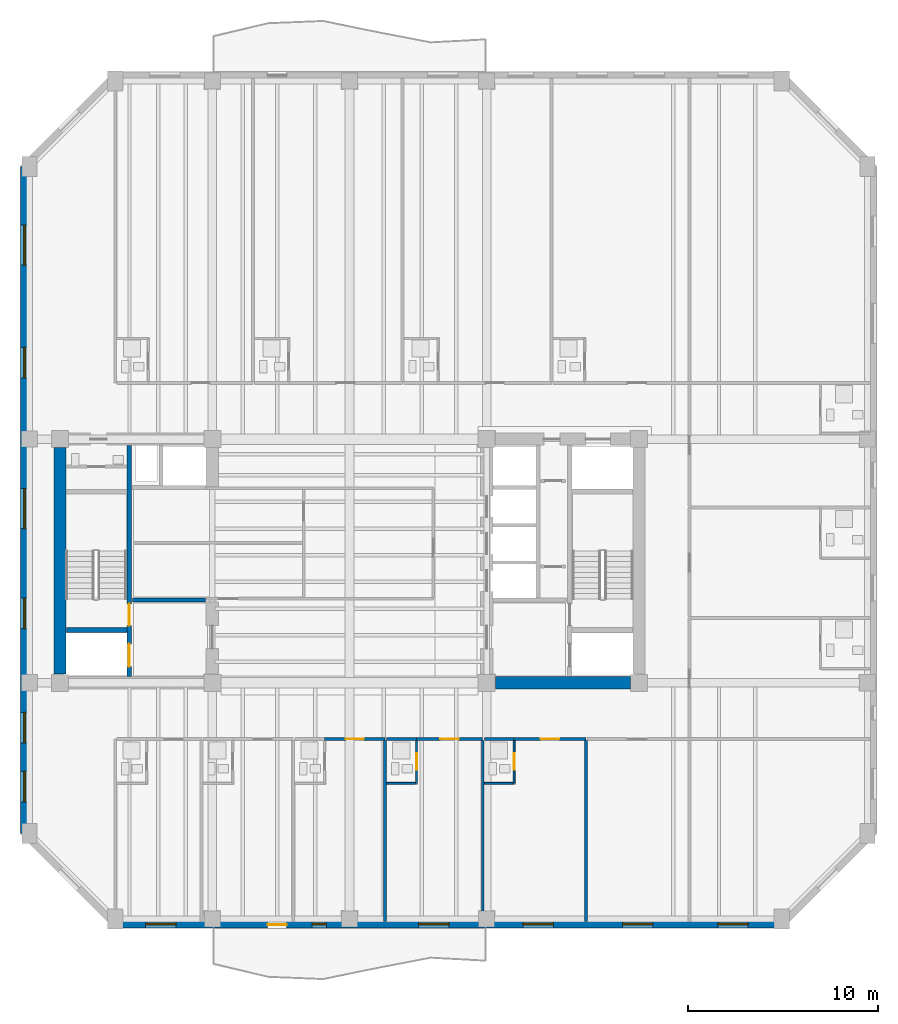
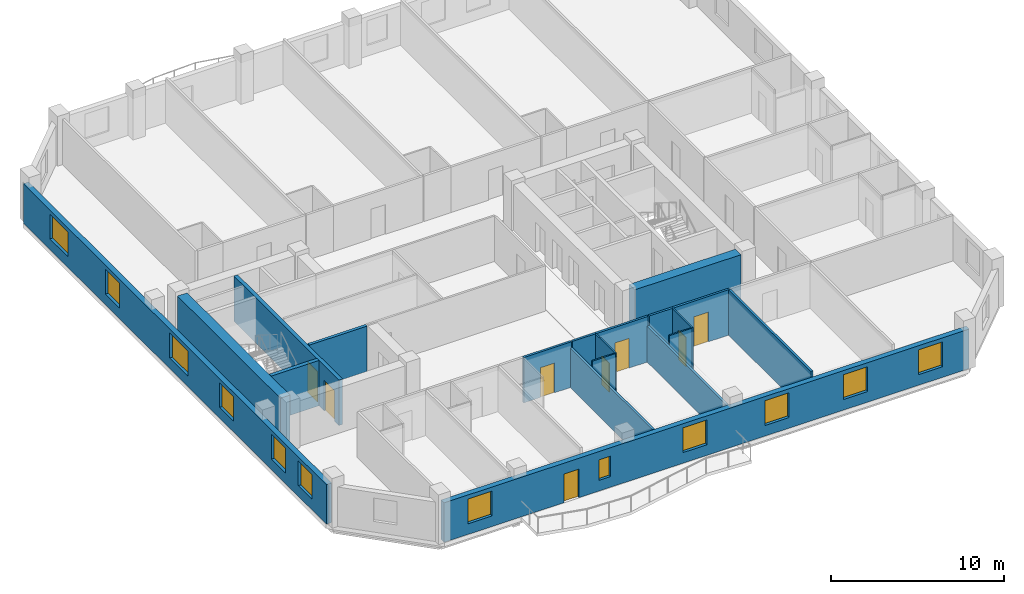
# One storey, part 3 of 11: 19 walls, 12 windows, 8 doors, 20 openings.
"""IFC4 building model written with IfcOpenShell, lengths in metres."""

from ifc_helpers import new_model, si_unit, direction, frame, frame_2d, origin, place, context, subcontext, project, spatial, rectangle, extrude, material, layer, layer_set, type_object, element, fill, save


model = new_model("IFC4")

# Units and contexts
model_context = context("Model", 3, precision=1e-05, world=origin(), true_north=direction((0.0, 1.0)))
body_context = subcontext(model_context, "Body", "Model", "MODEL_VIEW")
ifc_project = project(units=[si_unit("LENGTHUNIT", "METRE"), si_unit("AREAUNIT", "SQUARE_METRE"), si_unit("VOLUMEUNIT", "CUBIC_METRE"), si_unit("PLANEANGLEUNIT", "RADIAN"), si_unit("MASSUNIT", "GRAM", prefix="KILO")], contexts=[model_context])

# Site, building, storey
site_placement = place(None, origin())
site = spatial("IfcSite", under=ifc_project, at=site_placement, CompositionType="ELEMENT")
building_placement = place(site_placement, origin())
building = spatial("IfcBuilding", under=site, at=building_placement, Name="Kranthara Brick Stack", CompositionType="ELEMENT")
storey_placement = place(building_placement, frame((0.0, 0.0, 172.800048828125)))
storey = spatial("IfcBuildingStorey", under=building, at=storey_placement, Name="L44", CompositionType="ELEMENT", Elevation=172.800048828125)

# Wall, openings, door, windows
ifc_material_1 = material(Name="Kiln-fired clay brick masonry M15", Category="masonry")
ifc_layer_1 = layer(ifc_material_1, 0.35009765625)
ifc_layer_set_1 = layer_set([ifc_layer_1], Name="Kiln-fired clay brick masonry M15")
wall_type_1 = type_object("IfcWallType", Name="WL-BRK-SPND-350", PredefinedType="STANDARD", material=ifc_layer_set_1)
wall_1_placement = place(storey_placement, frame((50.699951171875, 8.094970703125, 0.0), z_axis=(0.0, 0.0, 1.0), x_axis=(-1.0, 0.0, 0.0)))
wall_1 = element("IfcWall", 1, at=wall_1_placement, inside=storey, type_object=wall_type_1, Name="L44 Exterior Brick Facade Wall SOUTH 1", PredefinedType="STANDARD", context=body_context, shape_type="SweptSolid", body=[
    extrude(rectangle(XDim=35.0, YDim=0.35009765625, at=frame_2d((17.5, 0.0))), origin(), (0.0, 0.0, 1.0), 2.784912109375),
])
opening_1_placement = place(wall_1_placement, frame((26.0, 0.0, 0.0)))
opening_1 = element("IfcOpeningElement", 2, at=opening_1_placement, cuts=wall_1, Name="Opening D03", PredefinedType="OPENING", context=body_context, shape_type="SweptSolid", body=[
    extrude(rectangle(XDim=1.0, YDim=2.02001953125, at=frame_2d((0.5, 1.010009765625))), frame((0.0, 0.18505859375, 0.0), z_axis=(0.0, -1.0, 0.0), x_axis=(1.0, 0.0, 0.0)), (0.0, 0.0, 1.0), 0.3701171875),
])
opening_2_placement = place(wall_1_placement, frame((1.762939453125, 0.0, 0.75)))
opening_2 = element("IfcOpeningElement", 3, at=opening_2_placement, cuts=wall_1, Name="Opening WN04", PredefinedType="OPENING", context=body_context, shape_type="SweptSolid", body=[
    extrude(rectangle(XDim=1.60009765625, YDim=1.75, at=frame_2d((0.800048828125, 0.875))), frame((0.0, 0.18505859375, 0.0), z_axis=(0.0, -1.0, 0.0), x_axis=(1.0, 0.0, 0.0)), (0.0, 0.0, 1.0), 0.3701171875),
])
opening_3_placement = place(wall_1_placement, frame((6.763916015625, 0.0, 0.75)))
opening_3 = element("IfcOpeningElement", 4, at=opening_3_placement, cuts=wall_1, Name="Opening WN04", PredefinedType="OPENING", context=body_context, shape_type="SweptSolid", body=[
    extrude(rectangle(XDim=1.60009765625, YDim=1.75, at=frame_2d((0.800048828125, 0.875))), frame((0.0, 0.18505859375, 0.0), z_axis=(0.0, -1.0, 0.0), x_axis=(1.0, 0.0, 0.0)), (0.0, 0.0, 1.0), 0.3701171875),
])
opening_4_placement = place(wall_1_placement, frame((12.0009765625, 0.0, 0.75)))
opening_4 = element("IfcOpeningElement", 5, at=opening_4_placement, cuts=wall_1, Name="Opening WN04", PredefinedType="OPENING", context=body_context, shape_type="SweptSolid", body=[
    extrude(rectangle(XDim=1.60009765625, YDim=1.75, at=frame_2d((0.800048828125, 0.875))), frame((0.0, 0.18505859375, 0.0), z_axis=(0.0, -1.0, 0.0), x_axis=(1.0, 0.0, 0.0)), (0.0, 0.0, 1.0), 0.3701171875),
])
opening_5_placement = place(wall_1_placement, frame((17.467041015625, 0.0, 0.75)))
opening_5 = element("IfcOpeningElement", 6, at=opening_5_placement, cuts=wall_1, Name="Opening WN04", PredefinedType="OPENING", context=body_context, shape_type="SweptSolid", body=[
    extrude(rectangle(XDim=1.60009765625, YDim=1.75, at=frame_2d((0.800048828125, 0.875))), frame((0.0, 0.18505859375, 0.0), z_axis=(0.0, -1.0, 0.0), x_axis=(1.0, 0.0, 0.0)), (0.0, 0.0, 1.0), 0.3701171875),
])
opening_6_placement = place(wall_1_placement, frame((31.801025390625, 0.0, 0.75)))
opening_6 = element("IfcOpeningElement", 7, at=opening_6_placement, cuts=wall_1, Name="Opening WN04", PredefinedType="OPENING", context=body_context, shape_type="SweptSolid", body=[
    extrude(rectangle(XDim=1.60009765625, YDim=1.75, at=frame_2d((0.800048828125, 0.875))), frame((0.0, 0.18505859375, 0.0), z_axis=(0.0, -1.0, 0.0), x_axis=(1.0, 0.0, 0.0)), (0.0, 0.0, 1.0), 0.3701171875),
])
opening_7_placement = place(wall_1_placement, frame((23.9140625, 0.0, 0.75)))
opening_7 = element("IfcOpeningElement", 8, at=opening_7_placement, cuts=wall_1, Name="Opening WN13", PredefinedType="OPENING", context=body_context, shape_type="SweptSolid", body=[
    extrude(rectangle(XDim=0.75, YDim=1.449951171875, at=frame_2d((0.375, 0.72509765625))), frame((0.0, 0.18505859375, 0.0), z_axis=(0.0, -1.0, 0.0), x_axis=(1.0, 0.0, 0.0)), (0.0, 0.0, 1.0), 0.3701171875),
])
ifc_material_2 = material(Name="Bronze anodised aluminium and laminated glass", Category="aluminium")
door_type_1 = type_object("IfcDoorType", Name="DR-BALC-1000", OperationType="NOTDEFINED", PredefinedType="DOOR", material=ifc_material_2)
door_1_placement = place(opening_1_placement, origin())
door_1 = element("IfcDoor", 9, at=door_1_placement, inside=storey, type_object=door_type_1, Name="L44 South Balcony Terrace Door", OperationType="SINGLE_SWING_LEFT", OverallHeight=2.02001953125, OverallWidth=1.0, PredefinedType="DOOR", context=body_context, shape_type="SweptSolid", body=[
    extrude(rectangle(XDim=1.0, YDim=2.02001953125, at=frame_2d((0.5, 1.010009765625))), frame((0.0, 0.02490234375, 0.0), z_axis=(0.0, -1.0, 0.0), x_axis=(1.0, 0.0, 0.0)), (0.0, 0.0, 1.0), 0.050048828125),
])
fill(opening_1, door_1)
ifc_material_3 = material(Name="Double-glazed low-E solar control glass", Category="glass")
window_type_1 = type_object("IfcWindowType", Name="WN-CAS-750x1450", PartitioningType="SINGLE_PANEL", PredefinedType="WINDOW", material=ifc_material_3)
window_1_placement = place(opening_7_placement, origin())
window_1 = element("IfcWindow", 10, at=window_1_placement, inside=storey, type_object=window_type_1, Name="L44 South Deep-Set Casement Window 06", OverallHeight=1.449951171875, OverallWidth=0.75, PartitioningType="SINGLE_PANEL", PredefinedType="WINDOW", context=body_context, shape_type="SweptSolid", body=[
    extrude(rectangle(XDim=0.75, YDim=1.449951171875, at=frame_2d((0.375, 0.72509765625))), frame((0.0, -0.010009765625, 0.0), z_axis=(0.0, -1.0, 0.0), x_axis=(1.0, 0.0, 0.0)), (0.0, 0.0, 1.0), 0.06005859375),
])
fill(opening_7, window_1)
ifc_material_4 = material(Name="Double-glazed low-E solar control glass", Category="glass")
window_type_2 = type_object("IfcWindowType", Name="WN-HTL-1600x1850", PartitioningType="DOUBLE_PANEL_VERTICAL", PredefinedType="WINDOW", material=ifc_material_4)
window_2_placement = place(opening_2_placement, origin())
window_2 = element("IfcWindow", 11, at=window_2_placement, inside=storey, type_object=window_type_2, Name="L44 South Deep-Set Brick Window 01", OverallHeight=1.75, OverallWidth=1.60009765625, PartitioningType="SINGLE_PANEL", PredefinedType="WINDOW", context=body_context, shape_type="SweptSolid", body=[
    extrude(rectangle(XDim=1.60009765625, YDim=1.75, at=frame_2d((0.800048828125, 0.875))), frame((0.0, -0.010009765625, 0.0), z_axis=(0.0, -1.0, 0.0), x_axis=(1.0, 0.0, 0.0)), (0.0, 0.0, 1.0), 0.06005859375),
])
fill(opening_2, window_2)
window_3_placement = place(opening_3_placement, origin())
window_3 = element("IfcWindow", 12, at=window_3_placement, inside=storey, type_object=window_type_2, Name="L44 South Deep-Set Brick Window 02", OverallHeight=1.75, OverallWidth=1.60009765625, PartitioningType="SINGLE_PANEL", PredefinedType="WINDOW", context=body_context, shape_type="SweptSolid", body=[
    extrude(rectangle(XDim=1.60009765625, YDim=1.75, at=frame_2d((0.800048828125, 0.875))), frame((0.0, -0.010009765625, 0.0), z_axis=(0.0, -1.0, 0.0), x_axis=(1.0, 0.0, 0.0)), (0.0, 0.0, 1.0), 0.06005859375),
])
fill(opening_3, window_3)
window_4_placement = place(opening_4_placement, origin())
window_4 = element("IfcWindow", 13, at=window_4_placement, inside=storey, type_object=window_type_2, Name="L44 South Deep-Set Brick Window 03", OverallHeight=1.75, OverallWidth=1.60009765625, PartitioningType="SINGLE_PANEL", PredefinedType="WINDOW", context=body_context, shape_type="SweptSolid", body=[
    extrude(rectangle(XDim=1.60009765625, YDim=1.75, at=frame_2d((0.800048828125, 0.875))), frame((0.0, -0.010009765625, 0.0), z_axis=(0.0, -1.0, 0.0), x_axis=(1.0, 0.0, 0.0)), (0.0, 0.0, 1.0), 0.06005859375),
])
fill(opening_4, window_4)
window_5_placement = place(opening_5_placement, origin())
window_5 = element("IfcWindow", 14, at=window_5_placement, inside=storey, type_object=window_type_2, Name="L44 South Deep-Set Brick Window 04", OverallHeight=1.75, OverallWidth=1.60009765625, PartitioningType="SINGLE_PANEL", PredefinedType="WINDOW", context=body_context, shape_type="SweptSolid", body=[
    extrude(rectangle(XDim=1.60009765625, YDim=1.75, at=frame_2d((0.800048828125, 0.875))), frame((0.0, -0.010009765625, 0.0), z_axis=(0.0, -1.0, 0.0), x_axis=(1.0, 0.0, 0.0)), (0.0, 0.0, 1.0), 0.06005859375),
])
fill(opening_5, window_5)
window_6_placement = place(opening_6_placement, origin())
window_6 = element("IfcWindow", 15, at=window_6_placement, inside=storey, type_object=window_type_2, Name="L44 South Deep-Set Brick Window 05", OverallHeight=1.75, OverallWidth=1.60009765625, PartitioningType="SINGLE_PANEL", PredefinedType="WINDOW", context=body_context, shape_type="SweptSolid", body=[
    extrude(rectangle(XDim=1.60009765625, YDim=1.75, at=frame_2d((0.800048828125, 0.875))), frame((0.0, -0.010009765625, 0.0), z_axis=(0.0, -1.0, 0.0), x_axis=(1.0, 0.0, 0.0)), (0.0, 0.0, 1.0), 0.06005859375),
])
fill(opening_6, window_6)

# Wall, openings, windows
wall_2_placement = place(storey_placement, frame((10.89501953125, 12.89990234375, 0.0), z_axis=(0.0, 0.0, 1.0), x_axis=(0.0, 1.0, 0.0)))
wall_2 = element("IfcWall", 16, at=wall_2_placement, inside=storey, type_object=wall_type_1, Name="L44 Exterior Brick Facade Wall WEST 1", PredefinedType="STANDARD", context=body_context, shape_type="SweptSolid", body=[
    extrude(rectangle(XDim=35.0, YDim=0.35009765625, at=frame_2d((17.5, 0.0))), origin(), (0.0, 0.0, 1.0), 2.784912109375),
])
opening_8_placement = place(wall_2_placement, frame((1.652099609375, 0.0, 0.75)))
opening_8 = element("IfcOpeningElement", 17, at=opening_8_placement, cuts=wall_2, Name="Opening WN04", PredefinedType="OPENING", context=body_context, shape_type="SweptSolid", body=[
    extrude(rectangle(XDim=1.60009765625, YDim=1.75, at=frame_2d((0.800048828125, 0.875))), frame((0.0, 0.18505859375, 0.0), z_axis=(0.0, -1.0, 0.0), x_axis=(1.0, 0.0, 0.0)), (0.0, 0.0, 1.0), 0.3701171875),
])
opening_9_placement = place(wall_2_placement, frame((4.748046875, 0.0, 0.75)))
opening_9 = element("IfcOpeningElement", 18, at=opening_9_placement, cuts=wall_2, Name="Opening WN04", PredefinedType="OPENING", context=body_context, shape_type="SweptSolid", body=[
    extrude(rectangle(XDim=1.60009765625, YDim=1.75, at=frame_2d((0.800048828125, 0.875))), frame((0.0, 0.18505859375, 0.0), z_axis=(0.0, -1.0, 0.0), x_axis=(1.0, 0.0, 0.0)), (0.0, 0.0, 1.0), 0.3701171875),
])
opening_10_placement = place(wall_2_placement, frame((10.751953125, 0.0, 0.75)))
opening_10 = element("IfcOpeningElement", 19, at=opening_10_placement, cuts=wall_2, Name="Opening WN04", PredefinedType="OPENING", context=body_context, shape_type="SweptSolid", body=[
    extrude(rectangle(XDim=1.60009765625, YDim=1.75, at=frame_2d((0.800048828125, 0.875))), frame((0.0, 0.18505859375, 0.0), z_axis=(0.0, -1.0, 0.0), x_axis=(1.0, 0.0, 0.0)), (0.0, 0.0, 1.0), 0.3701171875),
])
opening_11_placement = place(wall_2_placement, frame((15.998046875, 0.0, 0.75)))
opening_11 = element("IfcOpeningElement", 20, at=opening_11_placement, cuts=wall_2, Name="Opening WN05", PredefinedType="OPENING", context=body_context, shape_type="SweptSolid", body=[
    extrude(rectangle(XDim=2.10009765625, YDim=1.75, at=frame_2d((1.050048828125, 0.875))), frame((0.0, 0.18505859375, 0.0), z_axis=(0.0, -1.0, 0.0), x_axis=(1.0, 0.0, 0.0)), (0.0, 0.0, 1.0), 0.3701171875),
])
opening_12_placement = place(wall_2_placement, frame((23.916015625, 0.0, 0.75)))
opening_12 = element("IfcOpeningElement", 21, at=opening_12_placement, cuts=wall_2, Name="Opening WN04", PredefinedType="OPENING", context=body_context, shape_type="SweptSolid", body=[
    extrude(rectangle(XDim=1.60009765625, YDim=1.75, at=frame_2d((0.800048828125, 0.875))), frame((0.0, 0.18505859375, 0.0), z_axis=(0.0, -1.0, 0.0), x_axis=(1.0, 0.0, 0.0)), (0.0, 0.0, 1.0), 0.3701171875),
])
opening_13_placement = place(wall_2_placement, frame((29.833984375, 0.0, 0.75)))
opening_13 = element("IfcOpeningElement", 22, at=opening_13_placement, cuts=wall_2, Name="Opening WN05", PredefinedType="OPENING", context=body_context, shape_type="SweptSolid", body=[
    extrude(rectangle(XDim=2.10009765625, YDim=1.75, at=frame_2d((1.050048828125, 0.875))), frame((0.0, 0.18505859375, 0.0), z_axis=(0.0, -1.0, 0.0), x_axis=(1.0, 0.0, 0.0)), (0.0, 0.0, 1.0), 0.3701171875),
])
window_7_placement = place(opening_8_placement, origin())
window_7 = element("IfcWindow", 23, at=window_7_placement, inside=storey, type_object=window_type_2, Name="L44 West Deep-Set Brick Window 01", OverallHeight=1.75, OverallWidth=1.60009765625, PartitioningType="SINGLE_PANEL", PredefinedType="WINDOW", context=body_context, shape_type="SweptSolid", body=[
    extrude(rectangle(XDim=1.60009765625, YDim=1.75, at=frame_2d((0.800048828125, 0.875))), frame((0.0, -0.010009765625, 0.0), z_axis=(0.0, -1.0, 0.0), x_axis=(1.0, 0.0, 0.0)), (0.0, 0.0, 1.0), 0.06005859375),
])
fill(opening_8, window_7)
window_8_placement = place(opening_9_placement, origin())
window_8 = element("IfcWindow", 24, at=window_8_placement, inside=storey, type_object=window_type_2, Name="L44 West Deep-Set Brick Window 02", OverallHeight=1.75, OverallWidth=1.60009765625, PartitioningType="SINGLE_PANEL", PredefinedType="WINDOW", context=body_context, shape_type="SweptSolid", body=[
    extrude(rectangle(XDim=1.60009765625, YDim=1.75, at=frame_2d((0.800048828125, 0.875))), frame((0.0, -0.010009765625, 0.0), z_axis=(0.0, -1.0, 0.0), x_axis=(1.0, 0.0, 0.0)), (0.0, 0.0, 1.0), 0.06005859375),
])
fill(opening_9, window_8)
window_9_placement = place(opening_10_placement, origin())
window_9 = element("IfcWindow", 25, at=window_9_placement, inside=storey, type_object=window_type_2, Name="L44 West Deep-Set Brick Window 03", OverallHeight=1.75, OverallWidth=1.60009765625, PartitioningType="SINGLE_PANEL", PredefinedType="WINDOW", context=body_context, shape_type="SweptSolid", body=[
    extrude(rectangle(XDim=1.60009765625, YDim=1.75, at=frame_2d((0.800048828125, 0.875))), frame((0.0, -0.010009765625, 0.0), z_axis=(0.0, -1.0, 0.0), x_axis=(1.0, 0.0, 0.0)), (0.0, 0.0, 1.0), 0.06005859375),
])
fill(opening_10, window_9)
window_10_placement = place(opening_12_placement, origin())
window_10 = element("IfcWindow", 26, at=window_10_placement, inside=storey, type_object=window_type_2, Name="L44 West Deep-Set Brick Window 05", OverallHeight=1.75, OverallWidth=1.60009765625, PartitioningType="SINGLE_PANEL", PredefinedType="WINDOW", context=body_context, shape_type="SweptSolid", body=[
    extrude(rectangle(XDim=1.60009765625, YDim=1.75, at=frame_2d((0.800048828125, 0.875))), frame((0.0, -0.010009765625, 0.0), z_axis=(0.0, -1.0, 0.0), x_axis=(1.0, 0.0, 0.0)), (0.0, 0.0, 1.0), 0.06005859375),
])
fill(opening_12, window_10)
ifc_material_5 = material(Name="Double-glazed low-E solar control glass", Category="glass")
window_type_3 = type_object("IfcWindowType", Name="WN-HTL-2100x1850", PartitioningType="DOUBLE_PANEL_VERTICAL", PredefinedType="WINDOW", material=ifc_material_5)
window_11_placement = place(opening_11_placement, origin())
window_11 = element("IfcWindow", 27, at=window_11_placement, inside=storey, type_object=window_type_3, Name="L44 West Deep-Set Brick Window 04", OverallHeight=1.75, OverallWidth=2.10009765625, PartitioningType="SINGLE_PANEL", PredefinedType="WINDOW", context=body_context, shape_type="SweptSolid", body=[
    extrude(rectangle(XDim=2.10009765625, YDim=1.75, at=frame_2d((1.050048828125, 0.875))), frame((0.0, -0.010009765625, 0.0), z_axis=(0.0, -1.0, 0.0), x_axis=(1.0, 0.0, 0.0)), (0.0, 0.0, 1.0), 0.06005859375),
])
fill(opening_11, window_11)
window_12_placement = place(opening_13_placement, origin())
window_12 = element("IfcWindow", 28, at=window_12_placement, inside=storey, type_object=window_type_3, Name="L44 West Deep-Set Brick Window 06", OverallHeight=1.75, OverallWidth=2.10009765625, PartitioningType="SINGLE_PANEL", PredefinedType="WINDOW", context=body_context, shape_type="SweptSolid", body=[
    extrude(rectangle(XDim=2.10009765625, YDim=1.75, at=frame_2d((1.050048828125, 0.875))), frame((0.0, -0.010009765625, 0.0), z_axis=(0.0, -1.0, 0.0), x_axis=(1.0, 0.0, 0.0)), (0.0, 0.0, 1.0), 0.06005859375),
])
fill(opening_13, window_12)

# Wall, openings, doors
ifc_material_6 = material(Name="Concrete C50/60", Category="concrete")
ifc_layer_2 = layer(ifc_material_6, 0.25)
ifc_layer_set_2 = layer_set([ifc_layer_2], Name="Concrete C50/60")
wall_type_2 = type_object("IfcWallType", Name="WL-CORE-250", PredefinedType="SHEAR", material=ifc_layer_set_2)
wall_3_placement = place(storey_placement, frame((16.43505859375, 21.135009765625, 0.0), z_axis=(0.0, 0.0, 1.0), x_axis=(0.0, 1.0, 0.0)))
wall_3 = element("IfcWall", 29, at=wall_3_placement, inside=storey, type_object=wall_type_2, Name="L44 West Core Stair Bearing Spine Wall", PredefinedType="SHEAR", context=body_context, shape_type="SweptSolid", body=[
    extrude(rectangle(XDim=12.1298828125, YDim=0.25, at=frame_2d((6.06494140625, 0.0))), origin(), (0.0, 0.0, 1.0), 3.199951171875),
])
opening_14_placement = place(wall_3_placement, frame((0.514892578125, 0.0, 0.0)))
opening_14 = element("IfcOpeningElement", 30, at=opening_14_placement, cuts=wall_3, Name="Opening LD01", PredefinedType="OPENING", context=body_context, shape_type="SweptSolid", body=[
    extrude(rectangle(XDim=1.199951171875, YDim=2.14990234375, at=frame_2d((0.60009765625, 1.074951171875))), frame((0.0, 0.135009765625, 0.0), z_axis=(0.0, -1.0, 0.0), x_axis=(1.0, 0.0, 0.0)), (0.0, 0.0, 1.0), 0.27001953125),
])
opening_15_placement = place(wall_3_placement, frame((2.6650390625, 0.0, 0.0)))
opening_15 = element("IfcOpeningElement", 31, at=opening_15_placement, cuts=wall_3, Name="Opening D05", PredefinedType="OPENING", context=body_context, shape_type="SweptSolid", body=[
    extrude(rectangle(XDim=1.14990234375, YDim=2.14990234375, at=frame_2d((0.574951171875, 1.074951171875))), frame((0.0, 0.135009765625, 0.0), z_axis=(0.0, -1.0, 0.0), x_axis=(1.0, 0.0, 0.0)), (0.0, 0.0, 1.0), 0.27001953125),
])
ifc_material_7 = material(Name="Stainless steel sliding landing door", Category="steel")
door_type_2 = type_object("IfcDoorType", Name="DR-LD-FF1200", OperationType="DOUBLE_DOOR_SLIDING", PredefinedType="DOOR", material=ifc_material_7)
door_2_placement = place(opening_14_placement, origin())
door_2 = element("IfcDoor", 32, at=door_2_placement, inside=storey, type_object=door_type_2, Name="L44 Firefighting Lift FF-01 Landing Door", OperationType="DOUBLE_DOOR_SLIDING", OverallHeight=2.14990234375, OverallWidth=1.199951171875, PredefinedType="DOOR", context=body_context, shape_type="SweptSolid", body=[
    extrude(rectangle(XDim=1.199951171875, YDim=2.14990234375, at=frame_2d((0.60009765625, 1.074951171875))), frame((0.0, 0.02490234375, 0.0), z_axis=(0.0, -1.0, 0.0), x_axis=(1.0, 0.0, 0.0)), (0.0, 0.0, 1.0), 0.050048828125),
])
fill(opening_14, door_2)
ifc_material_8 = material(Name="Solid-core hardwood timber leaf in steel frame", Category="steel")
door_type_3 = type_object("IfcDoorType", Name="DR-ST-1150", OperationType="NOTDEFINED", PredefinedType="DOOR", material=ifc_material_8)
door_3_placement = place(opening_15_placement, origin())
door_3 = element("IfcDoor", 33, at=door_3_placement, inside=storey, type_object=door_type_3, Name="L44 Exit Stair ST01 Door", OperationType="SINGLE_SWING_RIGHT", OverallHeight=2.14990234375, OverallWidth=1.14990234375, PredefinedType="DOOR", context=body_context, shape_type="SweptSolid", body=[
    extrude(rectangle(XDim=1.14990234375, YDim=2.14990234375, at=frame_2d((0.574951171875, 1.074951171875))), frame((0.0, 0.02490234375, 0.0), z_axis=(0.0, -1.0, 0.0), x_axis=(1.0, 0.0, 0.0)), (0.0, 0.0, 1.0), 0.050048828125),
])
fill(opening_15, door_3)

# Walls
wall_4_placement = place(storey_placement, frame((13.135009765625, 23.570068359375, 0.0), z_axis=(0.0, 0.0, 1.0), x_axis=(1.0, 0.0, 0.0)))
element("IfcWall", 34, at=wall_4_placement, inside=storey, type_object=wall_type_2, Name="L44 West Stairwell Bearing Wall WFF", PredefinedType="SHEAR", context=body_context, shape_type="SweptSolid", body=[
    extrude(rectangle(XDim=3.175048828125, YDim=0.25, at=frame_2d((1.58740234375, 0.0))), origin(), (0.0, 0.0, 1.0), 3.199951171875),
])
ifc_material_9 = material(Name="Concrete C60/75", Category="concrete")
ifc_layer_3 = layer(ifc_material_9, 0.64990234375)
ifc_layer_set_3 = layer_set([ifc_layer_3], Name="Concrete C60/75")
wall_type_3 = type_object("IfcWallType", Name="WL-CORE-650", PredefinedType="SHEAR", material=ifc_layer_set_3)
wall_5_placement = place(storey_placement, frame((12.800048828125, 21.2548828125, 0.0), z_axis=(0.0, 0.0, 1.0), x_axis=(0.0, 1.0, 0.0)))
element("IfcWall", 35, at=wall_5_placement, inside=storey, type_object=wall_type_3, Name="L44 West Core Shear Wall West", PredefinedType="SHEAR", context=body_context, shape_type="SweptSolid", body=[
    extrude(rectangle(XDim=11.89013671875, YDim=0.64990234375, at=frame_2d((5.945068359375, 0.0))), origin(), (0.0, 0.0, 1.0), 3.199951171875),
])
wall_6_placement = place(storey_placement, frame((35.655029296875, 20.800048828125, 0.0), z_axis=(0.0, 0.0, 1.0), x_axis=(1.0, 0.0, 0.0)))
element("IfcWall", 36, at=wall_6_placement, inside=storey, type_object=wall_type_3, Name="L44 East Core Shear Wall South", PredefinedType="SHEAR", context=body_context, shape_type="SweptSolid", body=[
    extrude(rectangle(XDim=7.090087890625, YDim=0.64990234375, at=frame_2d((3.544921875, 0.0))), origin(), (0.0, 0.0, 1.0), 3.199951171875),
])

# Wall, opening, door
ifc_material_10 = material(Name="Moisture-resistant wet-room partition", Category="other")
ifc_layer_4 = layer(ifc_material_10, 0.10009765625)
ifc_layer_set_4 = layer_set([ifc_layer_4], Name="Moisture-resistant wet-room partition")
wall_type_4 = type_object("IfcWallType", Name="WL-PART-100", PredefinedType="PARTITIONING", material=ifc_layer_set_4)
wall_7_placement = place(storey_placement, frame((31.52001953125, 15.52001953125, 0.0), z_axis=(0.0, 0.0, 1.0), x_axis=(0.0, 1.0, 0.0)))
wall_7 = element("IfcWall", 37, at=wall_7_placement, inside=storey, type_object=wall_type_4, Name="L44 Interior Partition 027", PredefinedType="PARTITIONING", context=body_context, shape_type="SweptSolid", body=[
    extrude(rectangle(XDim=2.25, YDim=0.10009765625, at=frame_2d((1.125, 0.0))), origin(), (0.0, 0.0, 1.0), 3.199951171875),
])
opening_16_placement = place(wall_7_placement, frame((0.719970703125, 0.0, 0.0)))
opening_16 = element("IfcOpeningElement", 38, at=opening_16_placement, cuts=wall_7, Name="Opening D17", PredefinedType="OPENING", context=body_context, shape_type="SweptSolid", body=[
    extrude(rectangle(XDim=0.85009765625, YDim=2.050048828125, at=frame_2d((0.425048828125, 1.02490234375))), frame((0.0, 0.06005859375, 0.0), z_axis=(0.0, -1.0, 0.0), x_axis=(1.0, 0.0, 0.0)), (0.0, 0.0, 1.0), 0.1201171875),
])
ifc_material_11 = material(Name="Solid-core hardwood timber leaf in steel frame", Category="steel")
door_type_4 = type_object("IfcDoorType", Name="DR-WET-850", OperationType="NOTDEFINED", PredefinedType="DOOR", material=ifc_material_11)
door_4_placement = place(opening_16_placement, origin())
door_4 = element("IfcDoor", 39, at=door_4_placement, inside=storey, type_object=door_type_4, Name="L44 Key 04 En-Suite Door 13", OperationType="SINGLE_SWING_LEFT", OverallHeight=2.050048828125, OverallWidth=0.85009765625, PredefinedType="DOOR", context=body_context, shape_type="SweptSolid", body=[
    extrude(rectangle(XDim=0.85009765625, YDim=2.050048828125, at=frame_2d((0.425048828125, 1.02490234375))), frame((0.0, 0.02490234375, 0.0), z_axis=(0.0, -1.0, 0.0), x_axis=(1.0, 0.0, 0.0)), (0.0, 0.0, 1.0), 0.050048828125),
])
fill(opening_16, door_4)

# Wall
wall_8_placement = place(storey_placement, frame((29.949951171875, 15.52001953125, 0.0), z_axis=(0.0, 0.0, 1.0), x_axis=(1.0, 0.0, 0.0)))
element("IfcWall", 40, at=wall_8_placement, inside=storey, type_object=wall_type_4, Name="L44 Interior Partition 028", PredefinedType="PARTITIONING", context=body_context, shape_type="SweptSolid", body=[
    extrude(rectangle(XDim=1.51513671875, YDim=0.10009765625, at=frame_2d((0.757568359375, 0.0))), origin(), (0.0, 0.0, 1.0), 3.199951171875),
])

# Wall, opening, door
wall_9_placement = place(storey_placement, frame((36.64599609375, 15.52001953125, 0.0), z_axis=(0.0, 0.0, 1.0), x_axis=(0.0, 1.0, 0.0)))
wall_9 = element("IfcWall", 41, at=wall_9_placement, inside=storey, type_object=wall_type_4, Name="L44 Interior Partition 032", PredefinedType="PARTITIONING", context=body_context, shape_type="SweptSolid", body=[
    extrude(rectangle(XDim=2.25, YDim=0.10009765625, at=frame_2d((1.125, 0.0))), origin(), (0.0, 0.0, 1.0), 3.199951171875),
])
opening_17_placement = place(wall_9_placement, frame((0.719970703125, 0.0, 0.0)))
opening_17 = element("IfcOpeningElement", 42, at=opening_17_placement, cuts=wall_9, Name="Opening D17", PredefinedType="OPENING", context=body_context, shape_type="SweptSolid", body=[
    extrude(rectangle(XDim=0.85009765625, YDim=2.050048828125, at=frame_2d((0.425048828125, 1.02490234375))), frame((0.0, 0.06005859375, 0.0), z_axis=(0.0, -1.0, 0.0), x_axis=(1.0, 0.0, 0.0)), (0.0, 0.0, 1.0), 0.1201171875),
])
door_5_placement = place(opening_17_placement, origin())
door_5 = element("IfcDoor", 43, at=door_5_placement, inside=storey, type_object=door_type_4, Name="L44 Key 05 En-Suite Door 15", OperationType="SINGLE_SWING_LEFT", OverallHeight=2.050048828125, OverallWidth=0.85009765625, PredefinedType="DOOR", context=body_context, shape_type="SweptSolid", body=[
    extrude(rectangle(XDim=0.85009765625, YDim=2.050048828125, at=frame_2d((0.425048828125, 1.02490234375))), frame((0.0, 0.02490234375, 0.0), z_axis=(0.0, -1.0, 0.0), x_axis=(1.0, 0.0, 0.0)), (0.0, 0.0, 1.0), 0.050048828125),
])
fill(opening_17, door_5)

# Wall
wall_10_placement = place(storey_placement, frame((35.075927734375, 15.52001953125, 0.0), z_axis=(0.0, 0.0, 1.0), x_axis=(1.0, 0.0, 0.0)))
element("IfcWall", 44, at=wall_10_placement, inside=storey, type_object=wall_type_4, Name="L44 Interior Partition 033", PredefinedType="PARTITIONING", context=body_context, shape_type="SweptSolid", body=[
    extrude(rectangle(XDim=1.51513671875, YDim=0.10009765625, at=frame_2d((0.757568359375, 0.0))), origin(), (0.0, 0.0, 1.0), 3.199951171875),
])

# Wall, opening, door
ifc_material_12 = material(Name="Fire-rated gypsum board partition", Category="other")
ifc_layer_5 = layer(ifc_material_12, 0.14990234375)
ifc_layer_set_5 = layer_set([ifc_layer_5], Name="Fire-rated gypsum board partition")
wall_type_5 = type_object("IfcWallType", Name="WL-PART-150", PredefinedType="PARTITIONING", material=ifc_layer_set_5)
wall_11_placement = place(storey_placement, frame((26.697021484375, 17.85009765625, 0.0), z_axis=(0.0, 0.0, 1.0), x_axis=(1.0, 0.0, 0.0)))
wall_11 = element("IfcWall", 45, at=wall_11_placement, inside=storey, type_object=wall_type_5, Name="L44 Interior Partition 021", PredefinedType="PARTITIONING", context=body_context, shape_type="SweptSolid", body=[
    extrude(rectangle(XDim=3.173095703125, YDim=0.14990234375, at=frame_2d((1.58642578125, 0.0))), origin(), (0.0, 0.0, 1.0), 3.199951171875),
])
opening_18_placement = place(wall_11_placement, frame((1.10693359375, 0.0, 0.0)))
opening_18 = element("IfcOpeningElement", 46, at=opening_18_placement, cuts=wall_11, Name="Opening D09", PredefinedType="OPENING", context=body_context, shape_type="SweptSolid", body=[
    extrude(rectangle(XDim=0.949951171875, YDim=2.10009765625, at=frame_2d((0.47509765625, 1.050048828125))), frame((0.0, 0.0849609375, 0.0), z_axis=(0.0, -1.0, 0.0), x_axis=(1.0, 0.0, 0.0)), (0.0, 0.0, 1.0), 0.169921875),
])
ifc_material_13 = material(Name="Solid-core hardwood timber leaf in steel frame", Category="steel")
door_type_5 = type_object("IfcDoorType", Name="DR-FD-950", OperationType="NOTDEFINED", PredefinedType="DOOR", material=ifc_material_13)
door_6_placement = place(opening_18_placement, origin())
door_6 = element("IfcDoor", 47, at=door_6_placement, inside=storey, type_object=door_type_5, Name="L44 Key 03 Entry 12", OperationType="SINGLE_SWING_RIGHT", OverallHeight=2.10009765625, OverallWidth=0.949951171875, PredefinedType="DOOR", context=body_context, shape_type="SweptSolid", body=[
    extrude(rectangle(XDim=0.949951171875, YDim=2.10009765625, at=frame_2d((0.47509765625, 1.050048828125))), frame((0.0, 0.02490234375, 0.0), z_axis=(0.0, -1.0, 0.0), x_axis=(1.0, 0.0, 0.0)), (0.0, 0.0, 1.0), 0.050048828125),
])
fill(opening_18, door_6)

# Walls
wall_12_placement = place(storey_placement, frame((29.8701171875, 8.27490234375, 0.0), z_axis=(0.0, 0.0, 1.0), x_axis=(0.0, 1.0, 0.0)))
element("IfcWall", 48, at=wall_12_placement, inside=storey, type_object=wall_type_5, Name="L44 Interior Partition 024", PredefinedType="PARTITIONING", context=body_context, shape_type="SweptSolid", body=[
    extrude(rectangle(XDim=9.4951171875, YDim=0.14990234375, at=frame_2d((4.74755859375, 0.0))), origin(), (0.0, 0.0, 1.0), 2.784912109375),
])
wall_13_placement = place(storey_placement, frame((29.949951171875, 17.85009765625, 0.0), z_axis=(0.0, 0.0, 1.0), x_axis=(1.0, 0.0, 0.0)))
element("IfcWall", 49, at=wall_13_placement, inside=storey, type_object=wall_type_5, Name="L44 Interior Partition 025", PredefinedType="PARTITIONING", context=body_context, shape_type="SweptSolid", body=[
    extrude(rectangle(XDim=1.570068359375, YDim=0.14990234375, at=frame_2d((0.78515625, 0.0))), origin(), (0.0, 0.0, 1.0), 3.199951171875),
])

# Wall, opening, door
wall_14_placement = place(storey_placement, frame((31.52001953125, 17.85009765625, 0.0), z_axis=(0.0, 0.0, 1.0), x_axis=(1.0, 0.0, 0.0)))
wall_14 = element("IfcWall", 50, at=wall_14_placement, inside=storey, type_object=wall_type_5, Name="L44 Interior Partition 026", PredefinedType="PARTITIONING", context=body_context, shape_type="SweptSolid", body=[
    extrude(rectangle(XDim=3.47607421875, YDim=0.14990234375, at=frame_2d((1.738037109375, 0.0))), origin(), (0.0, 0.0, 1.0), 3.199951171875),
])
opening_19_placement = place(wall_14_placement, frame((1.258056640625, 0.0, 0.0)))
opening_19 = element("IfcOpeningElement", 51, at=opening_19_placement, cuts=wall_14, Name="Opening D09", PredefinedType="OPENING", context=body_context, shape_type="SweptSolid", body=[
    extrude(rectangle(XDim=0.949951171875, YDim=2.10009765625, at=frame_2d((0.47509765625, 1.050048828125))), frame((0.0, 0.0849609375, 0.0), z_axis=(0.0, -1.0, 0.0), x_axis=(1.0, 0.0, 0.0)), (0.0, 0.0, 1.0), 0.169921875),
])
door_7_placement = place(opening_19_placement, origin())
door_7 = element("IfcDoor", 52, at=door_7_placement, inside=storey, type_object=door_type_5, Name="L44 Key 04 Entry 14", OperationType="SINGLE_SWING_RIGHT", OverallHeight=2.10009765625, OverallWidth=0.949951171875, PredefinedType="DOOR", context=body_context, shape_type="SweptSolid", body=[
    extrude(rectangle(XDim=0.949951171875, YDim=2.10009765625, at=frame_2d((0.47509765625, 1.050048828125))), frame((0.0, 0.02490234375, 0.0), z_axis=(0.0, -1.0, 0.0), x_axis=(1.0, 0.0, 0.0)), (0.0, 0.0, 1.0), 0.050048828125),
])
fill(opening_19, door_7)

# Walls
wall_15_placement = place(storey_placement, frame((34.99609375, 8.27490234375, 0.0), z_axis=(0.0, 0.0, 1.0), x_axis=(0.0, 1.0, 0.0)))
element("IfcWall", 53, at=wall_15_placement, inside=storey, type_object=wall_type_5, Name="L44 Interior Partition 029", PredefinedType="PARTITIONING", context=body_context, shape_type="SweptSolid", body=[
    extrude(rectangle(XDim=9.4951171875, YDim=0.14990234375, at=frame_2d((4.74755859375, 0.0))), origin(), (0.0, 0.0, 1.0), 2.534912109375),
])
wall_16_placement = place(storey_placement, frame((35.075927734375, 17.85009765625, 0.0), z_axis=(0.0, 0.0, 1.0), x_axis=(1.0, 0.0, 0.0)))
element("IfcWall", 54, at=wall_16_placement, inside=storey, type_object=wall_type_5, Name="L44 Interior Partition 030", PredefinedType="PARTITIONING", context=body_context, shape_type="SweptSolid", body=[
    extrude(rectangle(XDim=1.570068359375, YDim=0.14990234375, at=frame_2d((0.78515625, 0.0))), origin(), (0.0, 0.0, 1.0), 3.199951171875),
])

# Wall, opening, door
wall_17_placement = place(storey_placement, frame((36.64599609375, 17.85009765625, 0.0), z_axis=(0.0, 0.0, 1.0), x_axis=(1.0, 0.0, 0.0)))
wall_17 = element("IfcWall", 55, at=wall_17_placement, inside=storey, type_object=wall_type_5, Name="L44 Interior Partition 031", PredefinedType="PARTITIONING", context=body_context, shape_type="SweptSolid", body=[
    extrude(rectangle(XDim=3.777099609375, YDim=0.14990234375, at=frame_2d((1.888671875, 0.0))), origin(), (0.0, 0.0, 1.0), 3.199951171875),
])
opening_20_placement = place(wall_17_placement, frame((1.408935546875, 0.0, 0.0)))
opening_20 = element("IfcOpeningElement", 56, at=opening_20_placement, cuts=wall_17, Name="Opening D09", PredefinedType="OPENING", context=body_context, shape_type="SweptSolid", body=[
    extrude(rectangle(XDim=0.949951171875, YDim=2.10009765625, at=frame_2d((0.47509765625, 1.050048828125))), frame((0.0, 0.0849609375, 0.0), z_axis=(0.0, -1.0, 0.0), x_axis=(1.0, 0.0, 0.0)), (0.0, 0.0, 1.0), 0.169921875),
])
door_8_placement = place(opening_20_placement, origin())
door_8 = element("IfcDoor", 57, at=door_8_placement, inside=storey, type_object=door_type_5, Name="L44 Key 05 Entry 16", OperationType="SINGLE_SWING_RIGHT", OverallHeight=2.10009765625, OverallWidth=0.949951171875, PredefinedType="DOOR", context=body_context, shape_type="SweptSolid", body=[
    extrude(rectangle(XDim=0.949951171875, YDim=2.10009765625, at=frame_2d((0.47509765625, 1.050048828125))), frame((0.0, 0.02490234375, 0.0), z_axis=(0.0, -1.0, 0.0), x_axis=(1.0, 0.0, 0.0)), (0.0, 0.0, 1.0), 0.050048828125),
])
fill(opening_20, door_8)

# Walls
wall_18_placement = place(storey_placement, frame((40.423095703125, 8.27490234375, 0.0), z_axis=(0.0, 0.0, 1.0), x_axis=(0.0, 1.0, 0.0)))
element("IfcWall", 58, at=wall_18_placement, inside=storey, type_object=wall_type_5, Name="L44 Interior Partition 034", PredefinedType="PARTITIONING", context=body_context, shape_type="SweptSolid", body=[
    extrude(rectangle(XDim=9.4951171875, YDim=0.14990234375, at=frame_2d((4.74755859375, 0.0))), origin(), (0.0, 0.0, 1.0), 3.199951171875),
])
ifc_material_14 = material(Name="Concrete C40/50", Category="concrete")
ifc_layer_6 = layer(ifc_material_14, 0.199951171875)
ifc_layer_set_6 = layer_set([ifc_layer_6], Name="Concrete C40/50")
wall_type_6 = type_object("IfcWallType", Name="WL-PART-200", PredefinedType="SOLIDWALL", material=ifc_layer_set_6)
wall_19_placement = place(storey_placement, frame((16.60009765625, 25.14990234375, 0.0), z_axis=(0.0, 0.0, 1.0), x_axis=(1.0, 0.0, 0.0)))
element("IfcWall", 59, at=wall_19_placement, inside=storey, type_object=wall_type_6, Name="L44 West Core Cross Wall WFL", PredefinedType="SOLIDWALL", context=body_context, shape_type="SweptSolid", body=[
    extrude(rectangle(XDim=3.849853515625, YDim=0.199951171875, at=frame_2d((1.9248046875, 0.0))), origin(), (0.0, 0.0, 1.0), 3.199951171875),
])

save(model, "model.ifc")
